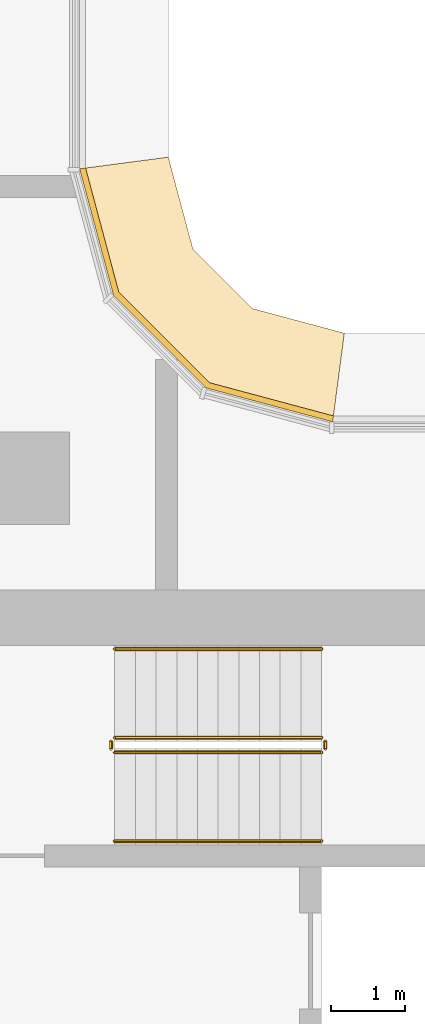
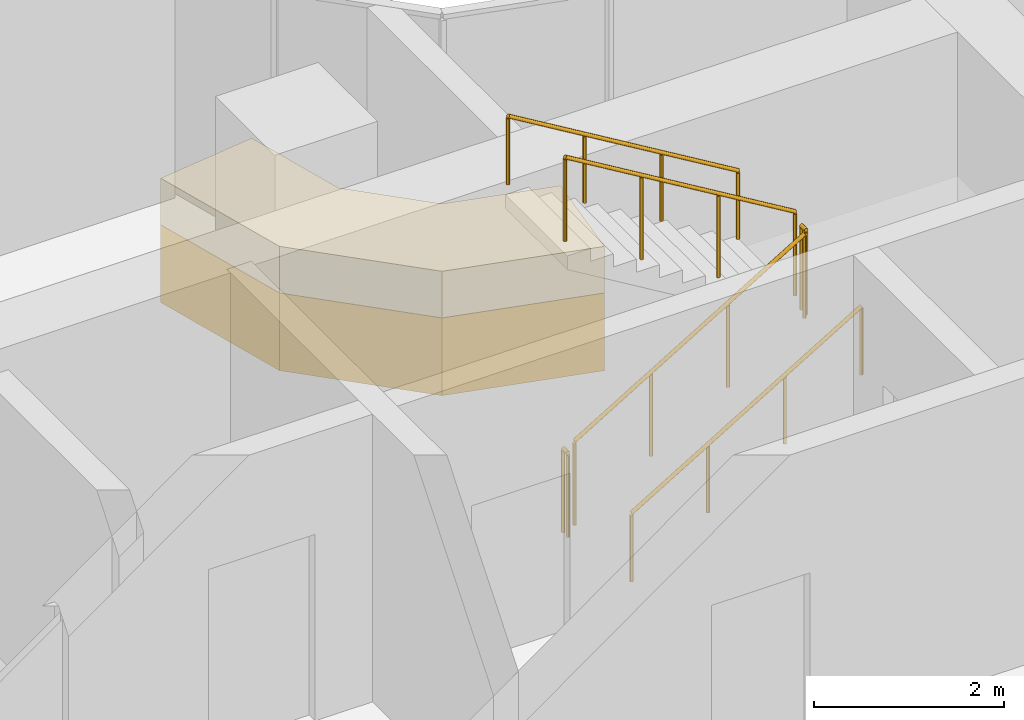
# One storey, part 20 of 25: 6 railings, 2 coverings.
"""IFC4 building model written with IfcOpenShell, lengths in metres."""

import ifcopenshell
import ifcopenshell.guid

model = None  # the IFC model being written
_history = None  # IfcOwnerHistory: only IFC2X3 demands one
_inside = {}  # id of a spatial element -> (the spatial element, [elements in it])
_under = {}  # id of a project, library or spatial element -> (it, [spatial elements below it])
_declared = {}  # id of a project -> (the project, [libraries it declares])
_typed = {}  # id of a type object -> (the type object, [elements of that type])
_made_of = {}  # id of a material, layer set ... -> (it, [elements and type objects made of it])


def new_model(schema):
    """Start an empty IFC model of exactly this schema.

    Asked for "IFC4X3", IfcOpenShell would pick the latest addendum, in which some entities
    have other attributes; the version numbers below select the first issue.
    IFC2X3 requires an IfcOwnerHistory on every rooted entity: one is made here for all.
    """
    global model, _history
    if schema == "IFC4X3":
        model = ifcopenshell.file(schema_version=(4, 3, 0, 0))
    else:
        model = ifcopenshell.file(schema=schema)
    _inside.clear()
    _under.clear()
    _declared.clear()
    _typed.clear()
    _made_of.clear()
    _history = None
    if model.schema == "IFC2X3":
        org = make("IfcOrganization", Name="unknown")
        user = make(
            "IfcPersonAndOrganization",
            ThePerson=make("IfcPerson", FamilyName="unknown"),
            TheOrganization=org,
        )
        app = make(
            "IfcApplication",
            ApplicationDeveloper=org,
            Version="unknown",
            ApplicationFullName="unknown",
            ApplicationIdentifier="unknown",
        )
        _history = make(
            "IfcOwnerHistory",
            OwningUser=user,
            OwningApplication=app,
            ChangeAction="ADDED",
            CreationDate=0,
        )
    return model


def make(cls, **values):
    """One entity of the class cls with the attributes given. An attribute that is None is left unset."""
    return model.create_entity(
        cls, **{name: value for name, value in values.items() if value is not None}
    )


def rooted(cls, **values):
    """An entity with a GlobalId (a new one), such as an element, a storey or a relation."""
    return make(cls, GlobalId=ifcopenshell.guid.new(), OwnerHistory=_history, **values)


def si_unit(unit_type, name, prefix=None):
    """IfcSIUnit, for example si_unit("LENGTHUNIT", "METRE", prefix="MILLI")."""
    return make("IfcSIUnit", UnitType=unit_type, Prefix=prefix, Name=name)


def assignment(units):
    """IfcUnitAssignment: the units of a project."""
    return None if units is None else make("IfcUnitAssignment", Units=units)


def point(xyz):
    """IfcCartesianPoint."""
    return None if xyz is None else make("IfcCartesianPoint", Coordinates=xyz)


def direction(xyz):
    """IfcDirection."""
    return None if xyz is None else make("IfcDirection", DirectionRatios=xyz)


def frame(location, z_axis=None, x_axis=None):
    """IfcAxis2Placement3D, a coordinate frame: its origin and axes. An axis left out is left unset."""
    return make(
        "IfcAxis2Placement3D",
        Location=point(location),
        Axis=direction(z_axis),
        RefDirection=direction(x_axis),
    )


def frame_2d(location, x_axis=None):
    """IfcAxis2Placement2D, a coordinate frame in the plane: its origin and x axis."""
    return make(
        "IfcAxis2Placement2D", Location=point(location), RefDirection=direction(x_axis)
    )


def origin():
    """The frame at (0, 0, 0) with its axes left unset."""
    return frame((0.0, 0.0, 0.0))


def origin_2d():
    """The frame at (0, 0) in the plane with its x axis left unset."""
    return frame_2d((0.0, 0.0))


def place(relative_to, where):
    """IfcLocalPlacement: puts the frame where relative to a parent placement (None: the world)."""
    return make(
        "IfcLocalPlacement", PlacementRelTo=relative_to, RelativePlacement=where
    )


def context(
    kind, dimensions, precision=None, world=None, true_north=None, identifier=None
):
    """IfcGeometricRepresentationContext, for example the 3D "Model" context."""
    return make(
        "IfcGeometricRepresentationContext",
        ContextIdentifier=identifier,
        ContextType=kind,
        CoordinateSpaceDimension=dimensions,
        Precision=precision,
        WorldCoordinateSystem=world,
        TrueNorth=true_north,
    )


def subcontext(parent, identifier, kind, view, scale=None):
    """IfcGeometricRepresentationSubContext, for example "Body" below "Model"."""
    return make(
        "IfcGeometricRepresentationSubContext",
        ContextIdentifier=identifier,
        ContextType=kind,
        ParentContext=parent,
        TargetScale=scale,
        TargetView=view,
    )


def project(units=None, contexts=None):
    """IfcProject with its units and contexts."""
    return rooted(
        "IfcProject",
        Name="project",
        RepresentationContexts=contexts,
        UnitsInContext=assignment(units),
    )


def spatial(cls, under=None, at=None, **own):
    """A site, building, storey or space (cls), placed at a placement, below another one or the project."""
    s = rooted(cls, ObjectPlacement=at, **own)
    if under is not None:
        _under.setdefault(under.id(), (under, []))[1].append(s)
    return s


def polyline(points):
    """IfcPolyline through the points."""
    return make("IfcPolyline", Points=[point(p) for p in points])


def profile(cls, at=None, kind="AREA", **sizes):
    """A parametric profile (cls). Its sizes go by their IFC names, for example OverallWidth=200.0."""
    return make(cls, ProfileType=kind, Position=at, **sizes)


def circle(**sizes):
    """IfcCircleProfileDef."""
    return profile("IfcCircleProfileDef", **sizes)


def outline(outer, holes=None, kind="AREA"):
    """IfcArbitraryClosedProfileDef: a profile drawn as a closed curve; with holes, ...WithVoids."""
    if holes is None:
        return make("IfcArbitraryClosedProfileDef", ProfileType=kind, OuterCurve=outer)
    return make(
        "IfcArbitraryProfileDefWithVoids",
        ProfileType=kind,
        OuterCurve=outer,
        InnerCurves=holes,
    )


def extrude(swept, where, along, depth):
    """IfcExtrudedAreaSolid: the profile swept, set in the frame where, extruded along a direction by depth."""
    return make(
        "IfcExtrudedAreaSolid",
        SweptArea=swept,
        Position=where,
        ExtrudedDirection=direction(along),
        Depth=depth,
    )


def shape(context_of_items, identifier, shape_type, items):
    """IfcShapeRepresentation: the items that make up one representation, for example the "Body"."""
    return make(
        "IfcShapeRepresentation",
        ContextOfItems=context_of_items,
        RepresentationIdentifier=identifier,
        RepresentationType=shape_type,
        Items=items,
    )


def material(Name=None, Category=None):
    """IfcMaterial."""
    return make("IfcMaterial", Name=Name, Category=Category)


def layer(
    of_material, thickness, ventilated=None, Name=None, Category=None, Priority=None
):
    """IfcMaterialLayer: one layer of a wall or slab, of a material (None: an air gap)."""
    return make(
        "IfcMaterialLayer",
        Material=of_material,
        LayerThickness=thickness,
        IsVentilated=ventilated,
        Name=Name,
        Category=Category,
        Priority=Priority,
    )


def layer_set(layers, Name=None):
    """IfcMaterialLayerSet."""
    return make("IfcMaterialLayerSet", MaterialLayers=layers, LayerSetName=Name)


def made_of(thing, what):
    """Note that an element or type object is made of a material, layer set ...; save() writes the relation."""
    if what is not None:
        _made_of.setdefault(what.id(), (what, []))[1].append(thing)
    return thing


def type_object(cls, material=None, **own):
    """A type object (cls), such as IfcWallType, which elements share."""
    return made_of(rooted(cls, **own), material)


def element(
    cls,
    number,
    at=None,
    inside=None,
    cuts=None,
    type_object=None,
    material=None,
    context=None,
    identifier="Body",
    shape_type=None,
    held_by="IfcProductDefinitionShape",
    body=None,
    shapes=None,
    **own,
):
    """One element of the class cls, such as IfcWall. Its Tag is "e" and its number.

    at: its placement. inside: the storey or other place that contains it. cuts: it is an
    opening in that element (IfcRelVoidsElement). A single representation is given by context,
    identifier, shape_type and body (its items); several are given by shapes. held_by: the class
    of the entity that holds the representations. save() writes the other relations.
    """
    e = rooted(cls, Tag="e%d" % number, ObjectPlacement=at, **own)
    if body is not None:
        shapes = [shape(context, identifier, shape_type, body)]
    if shapes is not None:
        e.Representation = make(held_by, Representations=shapes)
    if inside is not None:
        _inside.setdefault(inside.id(), (inside, []))[1].append(e)
    if cuts is not None:
        rooted(
            "IfcRelVoidsElement", RelatingBuildingElement=cuts, RelatedOpeningElement=e
        )
    if type_object is not None:
        _typed.setdefault(type_object.id(), (type_object, []))[1].append(e)
    return made_of(e, material)


def aggregate(whole, parts):
    """IfcRelAggregates: a whole, such as a stair, and the parts it consists of."""
    return rooted("IfcRelAggregates", RelatingObject=whole, RelatedObjects=parts)


def save(model, path):
    """Write the relations noted so far, then the file.

    IfcRelAggregates (storeys below a building ...), IfcRelContainedInSpatialStructure (elements
    in a storey), IfcRelDefinesByType, IfcRelAssociatesMaterial and IfcRelDeclares: one each for
    every whole, place, type object, material and project.
    """
    for whole, parts in _under.values():
        aggregate(whole, parts)
    for where, things in _inside.values():
        rooted(
            "IfcRelContainedInSpatialStructure",
            RelatedElements=things,
            RelatingStructure=where,
        )
    for kind, things in _typed.values():
        rooted("IfcRelDefinesByType", RelatedObjects=things, RelatingType=kind)
    for what, things in _made_of.values():
        rooted("IfcRelAssociatesMaterial", RelatedObjects=things, RelatingMaterial=what)
    for by, libraries in _declared.values():
        rooted("IfcRelDeclares", RelatingContext=by, RelatedDefinitions=libraries)
    model.write(path)


model = new_model("IFC4")

# Units and contexts
model_context = context("Model", 3, precision=1e-05, world=origin(), true_north=direction((0.0, 1.0)))
body_context = subcontext(model_context, "Body", "Model", "MODEL_VIEW")
ifc_project = project(units=[si_unit("LENGTHUNIT", "METRE"), si_unit("AREAUNIT", "SQUARE_METRE"), si_unit("VOLUMEUNIT", "CUBIC_METRE"), si_unit("PLANEANGLEUNIT", "RADIAN"), si_unit("MASSUNIT", "GRAM", prefix="KILO")], contexts=[model_context])

# Site, building, storey
site_placement = place(None, origin())
site = spatial("IfcSite", under=ifc_project, at=site_placement, CompositionType="ELEMENT")
building_placement = place(site_placement, origin())
building = spatial("IfcBuilding", under=site, at=building_placement, Name="Ogive Portal Towers", CompositionType="ELEMENT")
storey_placement = place(building_placement, frame((0.0, 0.0, 116.699951171875)))
storey = spatial("IfcBuildingStorey", under=building, at=storey_placement, Name="L28", CompositionType="ELEMENT", Elevation=116.699951171875)

# Railings
ifc_material_1 = material(Name="Stainless steel balustrade", Category="steel")
railing_type_1 = type_object("IfcRailingType", Name="INT-GUARD", PredefinedType="GUARDRAIL", material=ifc_material_1)
railing_1_placement = place(storey_placement, frame((52.550048828125, 37.60009765625, 0.168212890625)))
element("IfcRailing", 1, at=railing_1_placement, inside=storey, type_object=railing_type_1, Name="L28 ST-A2 stair guard 1", PredefinedType="GUARDRAIL", context=body_context, shape_type="SweptSolid", body=[
    extrude(circle(Radius=0.02392578125, at=origin_2d()), frame((0.0, 0.0, 1.076171875), z_axis=(0.857242210791, 0.0, 0.514913383045), x_axis=(0.0, 1.0, 0.0)), (0.0, 0.0, 1.0), 3.266357421875),
    extrude(circle(Radius=0.02099609375, at=origin_2d()), origin(), (0.0, 0.0, 1.0), 1.052001953125),
    extrude(circle(Radius=0.02099609375, at=origin_2d()), frame((0.933349609375, 0.0, 0.560546875)), (0.0, 0.0, 1.0), 1.052001953125),
    extrude(circle(Radius=0.02099609375, at=origin_2d()), frame((1.86669921875, 0.0, 1.121337890625)), (0.0, 0.0, 1.0), 1.052001953125),
    extrude(circle(Radius=0.02099609375, at=origin_2d()), frame((2.800048828125, 0.0, 1.681884765625)), (0.0, 0.0, 1.0), 1.052001953125),
])
railing_2_placement = place(storey_placement, frame((55.39990234375, 37.64990234375, 1.85009765625)))
element("IfcRailing", 2, at=railing_2_placement, inside=storey, type_object=railing_type_1, Name="L28 ST-A2 stair guard 2", PredefinedType="GUARDRAIL", context=body_context, shape_type="SweptSolid", body=[
    extrude(circle(Radius=0.02392578125, at=origin_2d()), frame((0.0, 0.0, 1.076171875), z_axis=(0.0, 1.0, 0.0), x_axis=(-1.0, 0.0, 0.0)), (0.0, 0.0, 1.0), 0.10009765625),
    extrude(circle(Radius=0.02099609375, at=origin_2d()), origin(), (0.0, 0.0, 1.0), 1.052001953125),
    extrude(circle(Radius=0.02099609375, at=origin_2d()), frame((0.0, 0.10009765625, 0.0)), (0.0, 0.0, 1.0), 1.052001953125),
])
railing_3_placement = place(storey_placement, frame((55.35009765625, 37.800048828125, 2.018310546875)))
element("IfcRailing", 3, at=railing_3_placement, inside=storey, type_object=railing_type_1, Name="L28 ST-A2 stair guard 3", PredefinedType="GUARDRAIL", context=body_context, shape_type="SweptSolid", body=[
    extrude(circle(Radius=0.02392578125, at=origin_2d()), frame((0.0, 0.0, 1.076171875), z_axis=(-0.857275202839, 0.0, 0.514858452973), x_axis=(0.0, -1.0, 0.0)), (0.0, 0.0, 1.0), 3.26611328125),
    extrude(circle(Radius=0.02099609375, at=origin_2d()), origin(), (0.0, 0.0, 1.0), 1.052001953125),
    extrude(circle(Radius=0.02099609375, at=origin_2d()), frame((-0.933349609375, 0.0, 0.560546875)), (0.0, 0.0, 1.0), 1.052001953125),
    extrude(circle(Radius=0.02099609375, at=origin_2d()), frame((-1.86669921875, 0.0, 1.12109375)), (0.0, 0.0, 1.0), 1.052001953125),
    extrude(circle(Radius=0.02099609375, at=origin_2d()), frame((-2.800048828125, 0.0, 1.681640625)), (0.0, 0.0, 1.0), 1.052001953125),
])
railing_4_placement = place(storey_placement, frame((52.5, 37.64990234375, 0.0)))
element("IfcRailing", 4, at=railing_4_placement, inside=storey, type_object=railing_type_1, Name="L28 ST-A2 stair guard 4", PredefinedType="GUARDRAIL", context=body_context, shape_type="SweptSolid", body=[
    extrude(circle(Radius=0.02392578125, at=origin_2d()), frame((0.0, 0.0, 1.076171875), z_axis=(0.0, 1.0, 0.0), x_axis=(-1.0, 0.0, 0.0)), (0.0, 0.0, 1.0), 0.10009765625),
    extrude(circle(Radius=0.02099609375, at=origin_2d()), origin(), (0.0, 0.0, 1.0), 1.052001953125),
    extrude(circle(Radius=0.02099609375, at=origin_2d()), frame((0.0, 0.10009765625, 0.0)), (0.0, 0.0, 1.0), 1.052001953125),
])
ifc_material_2 = material(Name="Stainless steel handrail", Category="steel")
railing_type_2 = type_object("IfcRailingType", Name="INT-HANDRAIL", PredefinedType="HANDRAIL", material=ifc_material_2)
railing_5_placement = place(storey_placement, frame((52.550048828125, 36.39990234375, 0.168212890625)))
element("IfcRailing", 5, at=railing_5_placement, inside=storey, type_object=railing_type_2, Name="L28 ST-A2 stair handrail 1", PredefinedType="HANDRAIL", context=body_context, shape_type="SweptSolid", body=[
    extrude(circle(Radius=0.02392578125, at=origin_2d()), frame((0.0, 0.0, 0.8759765625), z_axis=(0.857242210791, 0.0, 0.514913383045), x_axis=(0.0, 1.0, 0.0)), (0.0, 0.0, 1.0), 3.266357421875),
    extrude(circle(Radius=0.02099609375, at=origin_2d()), origin(), (0.0, 0.0, 1.0), 0.851806640625),
    extrude(circle(Radius=0.02099609375, at=origin_2d()), frame((0.933349609375, 0.0, 0.560546875)), (0.0, 0.0, 1.0), 0.851806640625),
    extrude(circle(Radius=0.02099609375, at=origin_2d()), frame((1.86669921875, 0.0, 1.121337890625)), (0.0, 0.0, 1.0), 0.851806640625),
    extrude(circle(Radius=0.02099609375, at=origin_2d()), frame((2.800048828125, 0.0, 1.681884765625)), (0.0, 0.0, 1.0), 0.851806640625),
])
railing_6_placement = place(storey_placement, frame((55.35009765625, 39.0, 2.018310546875)))
element("IfcRailing", 6, at=railing_6_placement, inside=storey, type_object=railing_type_2, Name="L28 ST-A2 stair handrail 2", PredefinedType="HANDRAIL", context=body_context, shape_type="SweptSolid", body=[
    extrude(circle(Radius=0.02392578125, at=origin_2d()), frame((0.0, 0.0, 0.8759765625), z_axis=(-0.857275202839, 0.0, 0.514858452973), x_axis=(0.0, -1.0, 0.0)), (0.0, 0.0, 1.0), 3.26611328125),
    extrude(circle(Radius=0.02099609375, at=origin_2d()), origin(), (0.0, 0.0, 1.0), 0.851806640625),
    extrude(circle(Radius=0.02099609375, at=origin_2d()), frame((-0.933349609375, 0.0, 0.560546875)), (0.0, 0.0, 1.0), 0.851806640625),
    extrude(circle(Radius=0.02099609375, at=origin_2d()), frame((-1.86669921875, 0.0, 1.12109375)), (0.0, 0.0, 1.0), 0.851806640625),
    extrude(circle(Radius=0.02099609375, at=origin_2d()), frame((-2.800048828125, 0.0, 1.681640625)), (0.0, 0.0, 1.0), 0.851806640625),
])

# Coverings
ifc_material_3 = material(Name="Limestone cladding on lightweight block wall", Category="masonry")
ifc_layer_1 = layer(ifc_material_3, 0.080078125)
ifc_layer_set_1 = layer_set([ifc_layer_1], Name="STONE SPANDREL 80")
covering_type_1 = type_object("IfcCoveringType", Name="STONE SPANDREL 80", PredefinedType="CLADDING", material=ifc_layer_set_1)
covering_1_placement = place(storey_placement, frame((0.0, 0.0, -1.599853515625)))
element("IfcCovering", 7, at=covering_1_placement, inside=storey, type_object=covering_type_1, Name="Stone spandrel A1-F10", PredefinedType="CLADDING", context=body_context, shape_type="SweptSolid", body=[
    extrude(outline(polyline([(55.5, 42.074951171875), (53.78759765625, 42.533935546875), (52.533935546875, 43.78759765625), (52.074951171875, 45.5), (52.155029296875, 45.510498046875), (52.60546875, 43.828857421875), (53.828857421875, 42.60546875), (55.510498046875, 42.155029296875), (55.5, 42.074951171875)])), origin(), (0.0, 0.0, 1.0), 1.0),
])
ifc_layer_2 = layer(ifc_material_3, 0.60009765625)
ifc_layer_set_2 = layer_set([ifc_layer_2], Name="SUNSHADE LIP 600")
covering_type_2 = type_object("IfcCoveringType", Name="SUNSHADE LIP 600", PredefinedType="CLADDING", material=ifc_layer_set_2)
covering_2_placement = place(storey_placement, frame((0.0, 0.0, -0.599853515625)))
element("IfcCovering", 8, at=covering_2_placement, inside=storey, type_object=covering_type_2, Name="Sunshade lip A1-F10", PredefinedType="CLADDING", context=body_context, shape_type="SweptSolid", body=[
    extrude(outline(polyline([(55.5, 42.074951171875), (53.78759765625, 42.533935546875), (52.533935546875, 43.78759765625), (52.074951171875, 45.5), (53.27490234375, 45.657958984375), (53.60986328125, 44.40869140625), (54.40869140625, 43.60986328125), (55.657958984375, 43.27490234375), (55.5, 42.074951171875)])), origin(), (0.0, 0.0, 1.0), 0.599853515625),
])

save(model, "model.ifc")
